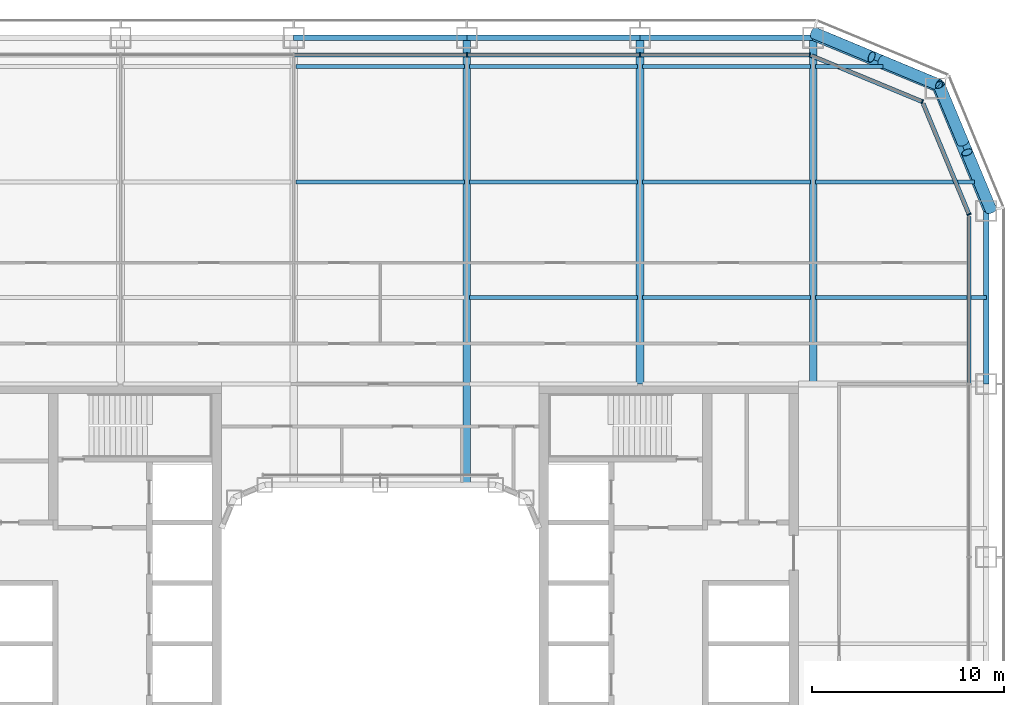
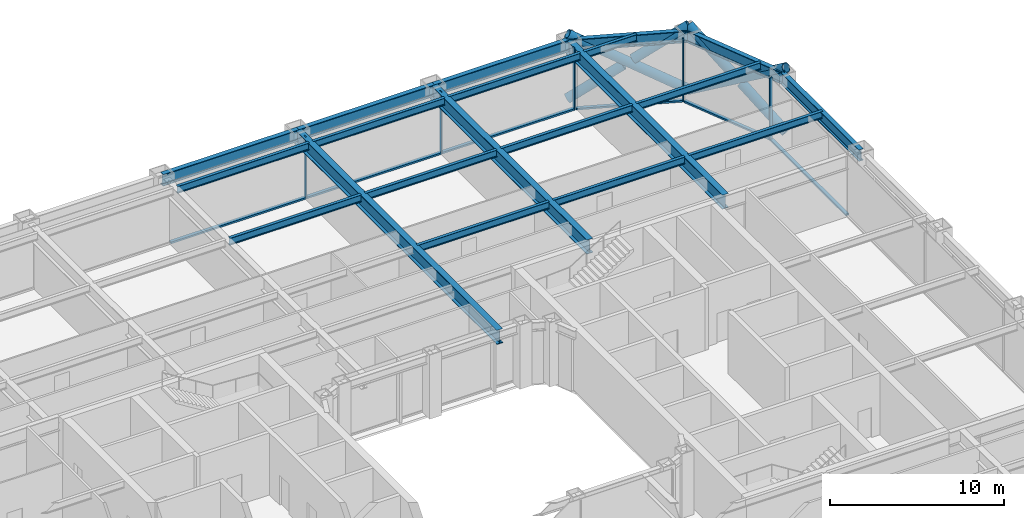
# One storey, part 10 of 24: 20 beams, 17 members, 4 elements without a shape of their own.
"""IFC4 building model written with IfcOpenShell, lengths in metres."""

from ifc_helpers import new_model, si_unit, direction, frame, origin, origin_2d, place, context, subcontext, project, spatial, rectangle, hollow_circle, i_section, extrude, material, layer, layer_set, material_profile, profile_set, type_object, element, aggregate, save


model = new_model("IFC4")

# Units and contexts
model_context = context("Model", 3, precision=1e-05, world=origin(), true_north=direction((0.0, 1.0)))
body_context = subcontext(model_context, "Body", "Model", "MODEL_VIEW")
ifc_project = project(units=[si_unit("LENGTHUNIT", "METRE"), si_unit("AREAUNIT", "SQUARE_METRE"), si_unit("VOLUMEUNIT", "CUBIC_METRE"), si_unit("PLANEANGLEUNIT", "RADIAN"), si_unit("MASSUNIT", "GRAM", prefix="KILO")], contexts=[model_context])

# Site, building, storey
site_placement = place(None, origin())
site = spatial("IfcSite", under=ifc_project, at=site_placement, CompositionType="ELEMENT")
building_placement = place(site_placement, origin())
building = spatial("IfcBuilding", under=site, at=building_placement, Name="Siwar Civic Tower", CompositionType="ELEMENT")
storey_placement = place(building_placement, frame((0.0, 0.0, 22.199951171875)))
storey = spatial("IfcBuildingStorey", under=building, at=storey_placement, Name="L04", CompositionType="ELEMENT", Elevation=22.199951171875)

# Curtain wall, member
ifc_material_1 = material(Name="Aluminium clad insulated panel", Category="aluminium")
ifc_layer_1 = layer(ifc_material_1, 0.219970703125)
ifc_layer_set_1 = layer_set([ifc_layer_1], Name="Aluminium clad insulated panel")
curtain_wall_type_1 = type_object("IfcCurtainWallType", Name="ENV-CW-AX", PredefinedType="NOTDEFINED", material=ifc_layer_set_1)
curtain_wall_1_placement = place(storey_placement, origin())
curtain_wall_1 = element("IfcCurtainWall", 1, at=curtain_wall_1_placement, inside=storey, type_object=curtain_wall_type_1, Name="Curtain wall A NE1", PredefinedType="NOTDEFINED")
ifc_material_2 = material(Name="Aluminium 6063-T6", Category="aluminium")
ifc_material_profile_1 = material_profile(ifc_material_2, rectangle(XDim=0.219970703125, YDim=0.070068359375, at=origin_2d()), Name="AL 220x70")
ifc_profile_set_1 = profile_set([ifc_material_profile_1], Name="Aluminium 6063-T6")
member_type_1 = type_object("IfcMemberType", Name="ENV-MULLION-A", PredefinedType="MULLION", material=ifc_profile_set_1)
member_1_placement = place(storey_placement, frame((30.60009765625, 22.321044921875, 0.0), z_axis=(0.0, 0.0, 1.0), x_axis=(-0.923879532511, -0.382683432365, 0.0)))
member_1 = element("IfcMember", 2, at=member_1_placement, type_object=member_type_1, Name="Mullion A NE1 1", PredefinedType="MULLION", context=body_context, shape_type="SweptSolid", body=[
    extrude(rectangle(XDim=0.219970703125, YDim=0.070068359375, at=origin_2d()), origin(), (0.0, 0.0, 1.0), 4.35009765625),
])

curtain_wall_2_placement = place(storey_placement, origin())
curtain_wall_2 = element("IfcCurtainWall", 3, at=curtain_wall_2_placement, inside=storey, type_object=curtain_wall_type_1, Name="Curtain wall A NE2", PredefinedType="NOTDEFINED")
member_2_placement = place(storey_placement, frame((28.175048828125, 28.175048828125, 0.0), z_axis=(0.0, 0.0, 1.0), x_axis=(-0.382683432365, -0.923879532511, 0.0)))
member_2 = element("IfcMember", 4, at=member_2_placement, type_object=member_type_1, Name="Mullion A NE2 1", PredefinedType="MULLION", context=body_context, shape_type="SweptSolid", body=[
    extrude(rectangle(XDim=0.219970703125, YDim=0.070068359375, at=origin_2d()), origin(), (0.0, 0.0, 1.0), 4.35009765625),
])

# Curtain wall, members
ifc_material_3 = material(Name="Aluminium and glass", Category="aluminium")
ifc_layer_2 = layer(ifc_material_3, 0.219970703125)
ifc_layer_set_2 = layer_set([ifc_layer_2], Name="Aluminium and glass")
curtain_wall_type_2 = type_object("IfcCurtainWallType", Name="ENV-CW-A", PredefinedType="NOTDEFINED", material=ifc_layer_set_2)
curtain_wall_3_placement = place(storey_placement, origin())
curtain_wall_3 = element("IfcCurtainWall", 5, at=curtain_wall_3_placement, inside=storey, type_object=curtain_wall_type_2, Name="Curtain wall A N", PredefinedType="NOTDEFINED")
member_3_placement = place(storey_placement, frame((22.321044921875, 30.60009765625, 0.0), z_axis=(0.0, 0.0, 1.0), x_axis=(0.0, -1.0, 0.0)))
member_3 = element("IfcMember", 6, at=member_3_placement, type_object=member_type_1, Name="Mullion A N 1", PredefinedType="MULLION", context=body_context, shape_type="SweptSolid", body=[
    extrude(rectangle(XDim=0.219970703125, YDim=0.070068359375, at=origin_2d()), origin(), (0.0, 0.0, 1.0), 4.35009765625),
])
member_4_placement = place(storey_placement, frame((13.5, 30.60009765625, 0.0), z_axis=(0.0, 0.0, 1.0), x_axis=(0.0, -1.0, 0.0)))
member_4 = element("IfcMember", 7, at=member_4_placement, type_object=member_type_1, Name="Mullion A N 2", PredefinedType="MULLION", context=body_context, shape_type="SweptSolid", body=[
    extrude(rectangle(XDim=0.219970703125, YDim=0.070068359375, at=origin_2d()), origin(), (0.0, 0.0, 1.0), 4.35009765625),
])
member_5_placement = place(storey_placement, frame((4.5, 30.60009765625, 0.0), z_axis=(0.0, 0.0, 1.0), x_axis=(0.0, -1.0, 0.0)))
member_5 = element("IfcMember", 8, at=member_5_placement, type_object=member_type_1, Name="Mullion A N 3", PredefinedType="MULLION", context=body_context, shape_type="SweptSolid", body=[
    extrude(rectangle(XDim=0.219970703125, YDim=0.070068359375, at=origin_2d()), origin(), (0.0, 0.0, 1.0), 4.35009765625),
])

# Curtain wall, member
curtain_wall_4_placement = place(storey_placement, origin())
curtain_wall_4 = element("IfcCurtainWall", 9, at=curtain_wall_4_placement, inside=storey, type_object=curtain_wall_type_2, Name="Curtain wall A E", PredefinedType="NOTDEFINED")
ifc_material_4 = material(Name="Aluminium 6063-T6", Category="aluminium")
ifc_material_profile_2 = material_profile(ifc_material_4, rectangle(XDim=0.219970703125, YDim=0.1201171875, at=origin_2d()), Name="AL 220x120")
ifc_profile_set_2 = profile_set([ifc_material_profile_2], Name="Aluminium 6063-T6")
member_type_2 = type_object("IfcMemberType", Name="ENV-TRANSOM-A", PredefinedType="USERDEFINED", material=ifc_profile_set_2)
member_6_placement = place(storey_placement, frame((30.60009765625, 13.534912109375, 0.06005859375), z_axis=(0.0, 1.0, 0.0), x_axis=(-1.0, 0.0, 0.0)))
member_6 = element("IfcMember", 10, at=member_6_placement, type_object=member_type_2, Name="Transom A E 5", ObjectType="TRANSOM", PredefinedType="USERDEFINED", context=body_context, shape_type="SweptSolid", body=[
    extrude(rectangle(XDim=0.219970703125, YDim=0.1201171875, at=origin_2d()), origin(), (0.0, 0.0, 1.0), 8.66357421875),
])
aggregate(curtain_wall_4, [member_6])

# Member
member_7_placement = place(storey_placement, frame((30.586669921875, 22.353271484375, 0.06005859375), z_axis=(-0.382698415042, 0.923873326341, 0.0), x_axis=(-0.923873326341, -0.382698415042, 0.0)))
member_7 = element("IfcMember", 11, at=member_7_placement, type_object=member_type_2, Name="Transom A NE1 1", ObjectType="TRANSOM", PredefinedType="USERDEFINED", context=body_context, shape_type="SweptSolid", body=[
    extrude(rectangle(XDim=0.219970703125, YDim=0.1201171875, at=origin_2d()), origin(), (0.0, 0.0, 1.0), 6.17919921875),
])

aggregate(curtain_wall_1, [member_1, member_7])

member_8_placement = place(storey_placement, frame((28.142822265625, 28.1884765625, 0.06005859375), z_axis=(-0.923873326341, 0.382698415042, 0.0), x_axis=(-0.382698415042, -0.923873326341, 0.0)))
member_8 = element("IfcMember", 12, at=member_8_placement, type_object=member_type_2, Name="Transom A NE2 1", ObjectType="TRANSOM", PredefinedType="USERDEFINED", context=body_context, shape_type="SweptSolid", body=[
    extrude(rectangle(XDim=0.219970703125, YDim=0.1201171875, at=origin_2d()), origin(), (0.0, 0.0, 1.0), 6.17919921875),
])

aggregate(curtain_wall_2, [member_2, member_8])

member_9_placement = place(storey_placement, frame((22.285888671875, 30.60009765625, 0.06005859375), z_axis=(-1.0, 0.0, 0.0), x_axis=(0.0, -1.0, 0.0)))
member_9 = element("IfcMember", 13, at=member_9_placement, type_object=member_type_2, Name="Transom A N 1", ObjectType="TRANSOM", PredefinedType="USERDEFINED", context=body_context, shape_type="SweptSolid", body=[
    extrude(rectangle(XDim=0.219970703125, YDim=0.1201171875, at=origin_2d()), origin(), (0.0, 0.0, 1.0), 8.7509765625),
])

member_10_placement = place(storey_placement, frame((13.465087890625, 30.60009765625, 0.06005859375), z_axis=(-1.0, 0.0, 0.0), x_axis=(0.0, -1.0, 0.0)))
member_10 = element("IfcMember", 14, at=member_10_placement, type_object=member_type_2, Name="Transom A N 2", ObjectType="TRANSOM", PredefinedType="USERDEFINED", context=body_context, shape_type="SweptSolid", body=[
    extrude(rectangle(XDim=0.219970703125, YDim=0.1201171875, at=origin_2d()), origin(), (0.0, 0.0, 1.0), 8.93017578125),
])

member_11_placement = place(storey_placement, frame((4.465087890625, 30.60009765625, 0.06005859375), z_axis=(-1.0, 0.0, 0.0), x_axis=(0.0, -1.0, 0.0)))
member_11 = element("IfcMember", 15, at=member_11_placement, type_object=member_type_2, Name="Transom A N 3", ObjectType="TRANSOM", PredefinedType="USERDEFINED", context=body_context, shape_type="SweptSolid", body=[
    extrude(rectangle(XDim=0.219970703125, YDim=0.1201171875, at=origin_2d()), origin(), (0.0, 0.0, 1.0), 8.93017578125),
])

aggregate(curtain_wall_3, [member_3, member_4, member_5, member_9, member_10, member_11])

# Members
ifc_material_5 = material(Name="Steel S355", Category="steel")
ifc_material_profile_3 = material_profile(ifc_material_5, hollow_circle(Radius=0.304931640625, WallThickness=0.030029296875, at=origin_2d()), Name="CHS610x30")
ifc_profile_set_3 = profile_set([ifc_material_profile_3], Name="Steel S355")
member_type_3 = type_object("IfcMemberType", Name="STR-BR-CHS610x30", PredefinedType="BRACE", material=ifc_profile_set_3)
member_12_placement = place(storey_placement, frame((29.040771484375, 29.040771484375, 0.0), z_axis=(-0.777554562952, 0.323905527954, 0.538975055633), x_axis=(-0.384538969033, -0.923108759191, 0.0)))
element("IfcMember", 16, at=member_12_placement, inside=storey, type_object=member_type_3, Name="L04/brc/ANE1-3-0-1", PredefinedType="BRACE", context=body_context, shape_type="SweptSolid", body=[
    extrude(hollow_circle(Radius=0.304931640625, WallThickness=0.030029296875, at=origin_2d()), origin(), (0.0, 0.0, 1.0), 8.34912109375),
])
member_13_placement = place(storey_placement, frame((22.548828125, 31.7451171875, 0.0), z_axis=(0.777533059308, -0.323882123145, 0.539020140617), x_axis=(0.384524353215, 0.923114847559, 0.0)))
element("IfcMember", 17, at=member_13_placement, inside=storey, type_object=member_type_3, Name="L04/brc/ANE1-3-0-2", PredefinedType="BRACE", context=body_context, shape_type="SweptSolid", body=[
    extrude(hollow_circle(Radius=0.304931640625, WallThickness=0.030029296875, at=origin_2d()), origin(), (0.0, 0.0, 1.0), 3.843505859375),
])
member_14_placement = place(storey_placement, frame((26.052001953125, 30.285888671875, 2.428466796875), z_axis=(0.777568797048, -0.323934068367, 0.538937366685), x_axis=(0.384561842466, 0.923099230484, 0.0)))
element("IfcMember", 18, at=member_14_placement, inside=storey, type_object=member_type_3, Name="L04/brc/ANE1-3-0-3", PredefinedType="BRACE", context=body_context, shape_type="SweptSolid", body=[
    extrude(hollow_circle(Radius=0.304931640625, WallThickness=0.030029296875, at=origin_2d()), origin(), (0.0, 0.0, 1.0), 3.84375),
])
member_15_placement = place(storey_placement, frame((29.040771484375, 29.040771484375, 0.0), z_axis=(0.323905527954, -0.777554562952, 0.538975055633), x_axis=(0.923108759191, 0.384538969033, 0.0)))
element("IfcMember", 19, at=member_15_placement, inside=storey, type_object=member_type_3, Name="L04/brc/ANE1-3-0-0", PredefinedType="BRACE", context=body_context, shape_type="SweptSolid", body=[
    extrude(hollow_circle(Radius=0.304931640625, WallThickness=0.030029296875, at=origin_2d()), origin(), (0.0, 0.0, 1.0), 8.34912109375),
])
member_16_placement = place(storey_placement, frame((31.7451171875, 22.548828125, 0.0), z_axis=(-0.323882123145, 0.777533059308, 0.539020140617), x_axis=(-0.923114847559, -0.384524353215, 0.0)))
element("IfcMember", 20, at=member_16_placement, inside=storey, type_object=member_type_3, Name="L04/brc/ANE1-3-0-4", PredefinedType="BRACE", context=body_context, shape_type="SweptSolid", body=[
    extrude(hollow_circle(Radius=0.304931640625, WallThickness=0.030029296875, at=origin_2d()), origin(), (0.0, 0.0, 1.0), 3.843505859375),
])
member_17_placement = place(storey_placement, frame((30.285888671875, 26.052001953125, 2.428466796875), z_axis=(-0.323934068367, 0.777568797048, 0.538937366685), x_axis=(-0.923099230484, -0.384561842466, 0.0)))
element("IfcMember", 21, at=member_17_placement, inside=storey, type_object=member_type_3, Name="L04/brc/ANE1-3-0-5", PredefinedType="BRACE", context=body_context, shape_type="SweptSolid", body=[
    extrude(hollow_circle(Radius=0.304931640625, WallThickness=0.030029296875, at=origin_2d()), origin(), (0.0, 0.0, 1.0), 3.84375),
])

# Beams
ifc_material_6 = material(Name="Steel S355", Category="steel")
ifc_material_profile_4 = material_profile(ifc_material_6, i_section(OverallWidth=0.199951171875, OverallDepth=0.5, WebThickness=0.01025390625, FlangeThickness=0.01611328125, FilletRadius=0.02099609375, at=origin_2d()), Name="IPE500")
ifc_profile_set_4 = profile_set([ifc_material_profile_4], Name="Steel S355")
beam_type_1 = type_object("IfcBeamType", Name="STR-FB-IPE500", PredefinedType="JOIST", material=ifc_profile_set_4)
for number, where, z_axis, x_axis, name in (
    (22, (4.6298828125, 18.0, 4.10009765625), (1.0, 0.0, 0.0), (0.0, 1.0, 0.0), "L04/bm/F050"),
    (23, (13.6298828125, 18.0, 4.10009765625), (1.0, 0.0, 0.0), (0.0, 1.0, 0.0), "L04/bm/F051"),
):
    element("IfcBeam", number, at=place(storey_placement, frame(where, z_axis=z_axis, x_axis=x_axis)), inside=storey, type_object=beam_type_1, Name=name, PredefinedType="JOIST", context=body_context, shape_type="SweptSolid", body=[
        extrude(i_section(OverallWidth=0.199951171875, OverallDepth=0.5, WebThickness=0.01025390625, FlangeThickness=0.01611328125, FilletRadius=0.02099609375, at=origin_2d()), origin(), (0.0, 0.0, 1.0), 8.740234375),
    ])
beam_1_placement = place(storey_placement, frame((22.6298828125, 18.0, 4.10009765625), z_axis=(1.0, 0.0, 0.0), x_axis=(0.0, 1.0, 0.0)))
element("IfcBeam", 24, at=beam_1_placement, inside=storey, type_object=beam_type_1, Name="L04/bm/F052", PredefinedType="JOIST", context=body_context, shape_type="SweptSolid", body=[
    extrude(i_section(OverallWidth=0.199951171875, OverallDepth=0.5, WebThickness=0.01025390625, FlangeThickness=0.01611328125, FilletRadius=0.02099609375, at=origin_2d()), origin(), (0.0, 0.0, 1.0), 8.8701171875),
])
for number, where, z_axis, x_axis, name in (
    (25, (-4.3701171875, 24.0, 4.10009765625), (1.0, 0.0, 0.0), (0.0, 1.0, 0.0), "L04/bm/F056"),
    (26, (4.6298828125, 24.0, 4.10009765625), (1.0, 0.0, 0.0), (0.0, 1.0, 0.0), "L04/bm/F057"),
    (27, (13.6298828125, 24.0, 4.10009765625), (1.0, 0.0, 0.0), (0.0, 1.0, 0.0), "L04/bm/F058"),
):
    element("IfcBeam", number, at=place(storey_placement, frame(where, z_axis=z_axis, x_axis=x_axis)), inside=storey, type_object=beam_type_1, Name=name, PredefinedType="JOIST", context=body_context, shape_type="SweptSolid", body=[
        extrude(i_section(OverallWidth=0.199951171875, OverallDepth=0.5, WebThickness=0.01025390625, FlangeThickness=0.01611328125, FilletRadius=0.02099609375, at=origin_2d()), origin(), (0.0, 0.0, 1.0), 8.740234375),
    ])
beam_2_placement = place(storey_placement, frame((22.6298828125, 24.0, 4.10009765625), z_axis=(1.0, 0.0, 0.0), x_axis=(0.0, 1.0, 0.0)))
element("IfcBeam", 28, at=beam_2_placement, inside=storey, type_object=beam_type_1, Name="L04/bm/F059", PredefinedType="JOIST", context=body_context, shape_type="SweptSolid", body=[
    extrude(i_section(OverallWidth=0.199951171875, OverallDepth=0.5, WebThickness=0.01025390625, FlangeThickness=0.01611328125, FilletRadius=0.02099609375, at=origin_2d()), origin(), (0.0, 0.0, 1.0), 8.248779296875),
])
for number, where, z_axis, x_axis, name in (
    (29, (-4.3701171875, 30.0, 4.10009765625), (1.0, 0.0, 0.0), (0.0, 1.0, 0.0), "L04/bm/F063"),
    (30, (4.6298828125, 30.0, 4.10009765625), (1.0, 0.0, 0.0), (0.0, 1.0, 0.0), "L04/bm/F064"),
    (31, (13.6298828125, 30.0, 4.10009765625), (1.0, 0.0, 0.0), (0.0, 1.0, 0.0), "L04/bm/F065"),
):
    element("IfcBeam", number, at=place(storey_placement, frame(where, z_axis=z_axis, x_axis=x_axis)), inside=storey, type_object=beam_type_1, Name=name, PredefinedType="JOIST", context=body_context, shape_type="SweptSolid", body=[
        extrude(i_section(OverallWidth=0.199951171875, OverallDepth=0.5, WebThickness=0.01025390625, FlangeThickness=0.01611328125, FilletRadius=0.02099609375, at=origin_2d()), origin(), (0.0, 0.0, 1.0), 8.740234375),
    ])
beam_3_placement = place(storey_placement, frame((22.6298828125, 30.0, 4.10009765625), z_axis=(1.0, 0.0, 0.0), x_axis=(0.0, 1.0, 0.0)))
element("IfcBeam", 32, at=beam_3_placement, inside=storey, type_object=beam_type_1, Name="L04/bm/F066", PredefinedType="JOIST", context=body_context, shape_type="SweptSolid", body=[
    extrude(i_section(OverallWidth=0.199951171875, OverallDepth=0.5, WebThickness=0.01025390625, FlangeThickness=0.01611328125, FilletRadius=0.02099609375, at=origin_2d()), origin(), (0.0, 0.0, 1.0), 3.491455078125),
])
ifc_material_7 = material(Name="Steel S355", Category="steel")
ifc_material_profile_5 = material_profile(ifc_material_7, i_section(OverallWidth=0.39990234375, OverallDepth=1.0, WebThickness=0.01611328125, FlangeThickness=0.0400390625, at=origin_2d()), Name="PG1000x400x16x40")
ifc_profile_set_5 = profile_set([ifc_material_profile_5], Name="Steel S355")
beam_type_2 = type_object("IfcBeamType", Name="STR-PG-PG1000x400x16x40", PredefinedType="BEAM", material=ifc_profile_set_5)
beam_4_placement = place(storey_placement, frame((4.5, 8.25, 3.85009765625), z_axis=(0.0, 1.0, 0.0), x_axis=(-1.0, 0.0, 0.0)))
element("IfcBeam", 33, at=beam_4_placement, inside=storey, type_object=beam_type_2, Name="L04/bm/G08", PredefinedType="BEAM", context=body_context, shape_type="SweptSolid", body=[
    extrude(i_section(OverallWidth=0.39990234375, OverallDepth=1.0, WebThickness=0.01611328125, FlangeThickness=0.0400390625, at=origin_2d()), origin(), (0.0, 0.0, 1.0), 23.25),
])
for number, where, z_axis, x_axis, name in (
    (34, (13.5, 13.5, 3.85009765625), (0.0, 1.0, 0.0), (-1.0, 0.0, 0.0), "L04/bm/G10"),
    (35, (22.5, 13.5, 3.85009765625), (0.0, 1.0, 0.0), (-1.0, 0.0, 0.0), "L04/bm/G12"),
):
    element("IfcBeam", number, at=place(storey_placement, frame(where, z_axis=z_axis, x_axis=x_axis)), inside=storey, type_object=beam_type_2, Name=name, PredefinedType="BEAM", context=body_context, shape_type="SweptSolid", body=[
        extrude(i_section(OverallWidth=0.39990234375, OverallDepth=1.0, WebThickness=0.01611328125, FlangeThickness=0.0400390625, at=origin_2d()), origin(), (0.0, 0.0, 1.0), 18.0),
    ])
ifc_material_8 = material(Name="Steel S355", Category="steel")
ifc_material_profile_6 = material_profile(ifc_material_8, i_section(OverallWidth=0.302978515625, OverallDepth=0.81396484375, WebThickness=0.02099609375, FlangeThickness=0.0400390625, FilletRadius=0.030029296875, at=origin_2d()), Name="HEM800")
ifc_profile_set_6 = profile_set([ifc_material_profile_6], Name="Steel S355")
beam_type_3 = type_object("IfcBeamType", Name="STR-SB-HEM800", PredefinedType="BEAM", material=ifc_profile_set_6)
beam_5_placement = place(storey_placement, frame((31.5, 13.5, 3.943115234375), z_axis=(0.0, 1.0, 0.0), x_axis=(-1.0, 0.0, 0.0)))
element("IfcBeam", 36, at=beam_5_placement, inside=storey, type_object=beam_type_3, Name="L04/bm/SE-4", PredefinedType="BEAM", context=body_context, shape_type="SweptSolid", body=[
    extrude(i_section(OverallWidth=0.302978515625, OverallDepth=0.81396484375, WebThickness=0.02099609375, FlangeThickness=0.0400390625, FilletRadius=0.030029296875, at=origin_2d()), origin(), (0.0, 0.0, 1.0), 9.0),
])
for number, where, z_axis, x_axis, name in (
    (37, (31.5, 22.5, 3.943115234375), (-0.382674207535, 0.923883353507, 0.0), (-0.923883353507, -0.382674207535, 0.0), "L04/bm/SNE1-0"),
    (38, (28.864013671875, 28.864013671875, 3.943115234375), (-0.923883353507, 0.382674207535, 0.0), (-0.382674207535, -0.923883353507, 0.0), "L04/bm/SNE2-0"),
):
    element("IfcBeam", number, at=place(storey_placement, frame(where, z_axis=z_axis, x_axis=x_axis)), inside=storey, type_object=beam_type_3, Name=name, PredefinedType="BEAM", context=body_context, shape_type="SweptSolid", body=[
        extrude(i_section(OverallWidth=0.302978515625, OverallDepth=0.81396484375, WebThickness=0.02099609375, FlangeThickness=0.0400390625, FilletRadius=0.030029296875, at=origin_2d()), origin(), (0.0, 0.0, 1.0), 6.888427734375),
    ])
for number, where, z_axis, x_axis, name in (
    (39, (22.5, 31.5, 3.943115234375), (-1.0, 0.0, 0.0), (0.0, -1.0, 0.0), "L04/bm/SN-0"),
    (40, (13.5, 31.5, 3.943115234375), (-1.0, 0.0, 0.0), (0.0, -1.0, 0.0), "L04/bm/SN-1"),
    (41, (4.5, 31.5, 3.943115234375), (-1.0, 0.0, 0.0), (0.0, -1.0, 0.0), "L04/bm/SN-2"),
):
    element("IfcBeam", number, at=place(storey_placement, frame(where, z_axis=z_axis, x_axis=x_axis)), inside=storey, type_object=beam_type_3, Name=name, PredefinedType="BEAM", context=body_context, shape_type="SweptSolid", body=[
        extrude(i_section(OverallWidth=0.302978515625, OverallDepth=0.81396484375, WebThickness=0.02099609375, FlangeThickness=0.0400390625, FilletRadius=0.030029296875, at=origin_2d()), origin(), (0.0, 0.0, 1.0), 9.0),
    ])

save(model, "model.ifc")
